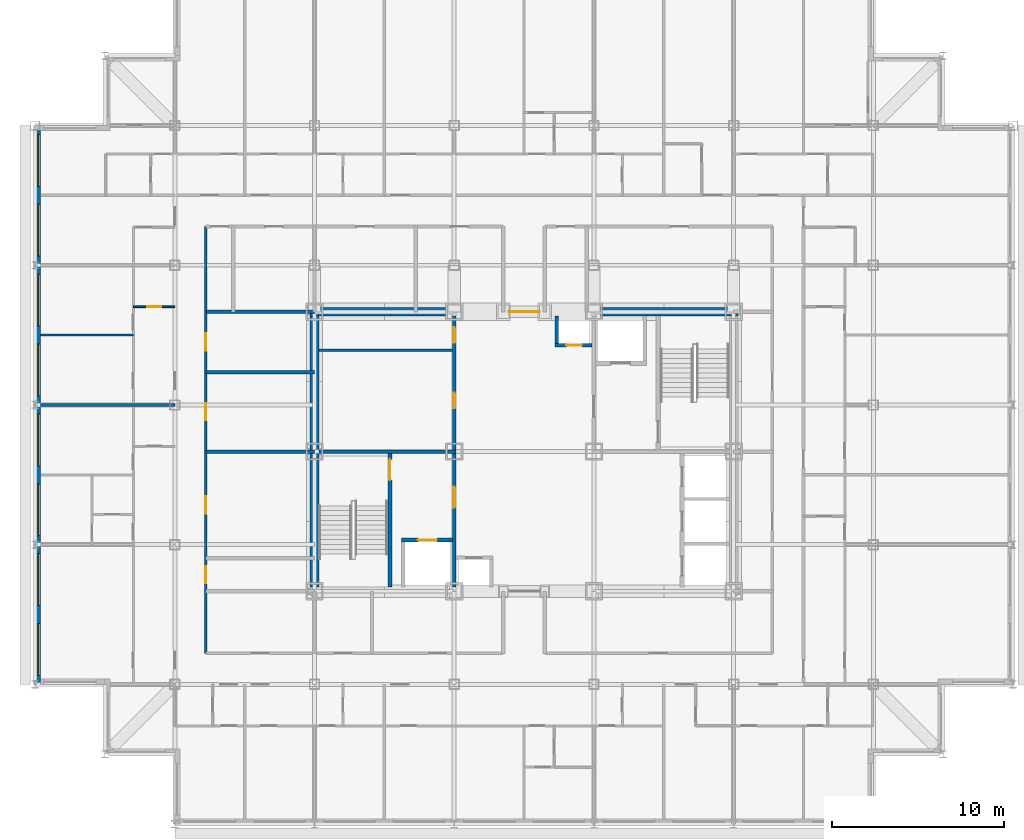
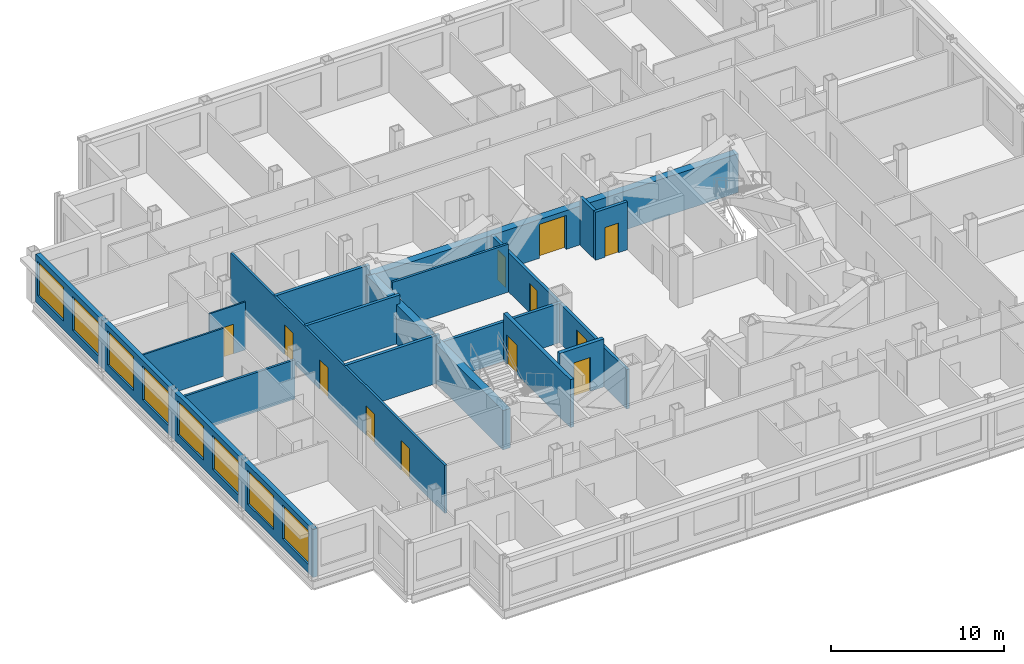
# One storey, part 6 of 12: 18 walls, 12 doors, 8 windows, 20 openings.
"""IFC4 building model written with IfcOpenShell, lengths in metres."""

from ifc_helpers import new_model, si_unit, direction, frame, frame_2d, origin, place, context, subcontext, project, spatial, rectangle, extrude, material, layer, layer_set, type_object, element, fill, save


model = new_model("IFC4")

# Units and contexts
model_context = context("Model", 3, precision=1e-05, world=origin(), true_north=direction((0.0, 1.0)))
body_context = subcontext(model_context, "Body", "Model", "MODEL_VIEW")
ifc_project = project(units=[si_unit("LENGTHUNIT", "METRE"), si_unit("AREAUNIT", "SQUARE_METRE"), si_unit("VOLUMEUNIT", "CUBIC_METRE"), si_unit("PLANEANGLEUNIT", "RADIAN"), si_unit("MASSUNIT", "GRAM", prefix="KILO")], contexts=[model_context])

# Site, building, storey
site_placement = place(None, origin())
site = spatial("IfcSite", under=ifc_project, at=site_placement, CompositionType="ELEMENT")
building_placement = place(site_placement, origin())
building = spatial("IfcBuilding", under=site, at=building_placement, Name="Kopane Lantern Tower", CompositionType="ELEMENT")
storey_placement = place(building_placement, frame((0.0, 0.0, 210.0)))
storey = spatial("IfcBuildingStorey", under=building, at=storey_placement, Name="L54", CompositionType="ELEMENT", Elevation=210.0)

# Wall
ifc_material_1 = material(Name="Gypsum board on steel studs", Category="steel")
ifc_layer_1 = layer(ifc_material_1, 0.1201171875)
ifc_layer_set_1 = layer_set([ifc_layer_1], Name="APARTMENT INTERNAL WALL 120")
wall_type_1 = type_object("IfcWallType", Name="APARTMENT INTERNAL WALL 120", PredefinedType="PARTITIONING", material=ifc_layer_set_1)
wall_1_placement = place(storey_placement, frame((5.699951171875, 39.14990234375, 0.0), z_axis=(0.0, 0.0, 1.0), x_axis=(-1.0, 0.0, 0.0)))
element("IfcWall", 1, at=wall_1_placement, inside=storey, type_object=wall_type_1, Name="Apartment Internal Wall 120 L54", PredefinedType="PARTITIONING", context=body_context, shape_type="SweptSolid", body=[
    extrude(rectangle(XDim=5.39990234375, YDim=0.1201171875, at=frame_2d((2.699951171875, 0.0))), origin(), (0.0, 0.0, 1.0), 3.389892578125),
])

# Wall, opening, door
ifc_material_2 = material(Name="Moisture-resistant board on steel studs", Category="steel")
ifc_layer_2 = layer(ifc_material_2, 0.10009765625)
ifc_layer_set_2 = layer_set([ifc_layer_2], Name="BATHROOM WALL 100")
wall_type_2 = type_object("IfcWallType", Name="BATHROOM WALL 100", PredefinedType="PARTITIONING", material=ifc_layer_set_2)
wall_2_placement = place(storey_placement, frame((8.10009765625, 40.800048828125, 0.0), z_axis=(0.0, 0.0, 1.0), x_axis=(-1.0, 0.0, 0.0)))
wall_2 = element("IfcWall", 2, at=wall_2_placement, inside=storey, type_object=wall_type_2, Name="Bathroom Wall 100 L54", PredefinedType="PARTITIONING", context=body_context, shape_type="SweptSolid", body=[
    extrude(rectangle(XDim=2.400146484375, YDim=0.10009765625, at=frame_2d((1.2001953125, 0.0))), origin(), (0.0, 0.0, 1.0), 3.389892578125),
])
opening_1_placement = place(wall_2_placement, frame((0.800048828125, 0.0, 0.0)))
opening_1 = element("IfcOpeningElement", 3, at=opening_1_placement, cuts=wall_2, Name="Opening L54-047", PredefinedType="OPENING", context=body_context, shape_type="SweptSolid", body=[
    extrude(rectangle(XDim=0.800048828125, YDim=2.10009765625, at=frame_2d((0.39990234375, 1.050048828125))), frame((0.0, 0.06005859375, 0.0), z_axis=(0.0, -1.0, 0.0), x_axis=(1.0, 0.0, 0.0)), (0.0, 0.0, 1.0), 0.1201171875),
])
ifc_material_3 = material(Name="Timber door set", Category="wood")
door_type_1 = type_object("IfcDoorType", Name="DOOR D2 800x2100", OperationType="SINGLE_SWING_LEFT", PredefinedType="DOOR", material=ifc_material_3)
door_1_placement = place(opening_1_placement, origin())
door_1 = element("IfcDoor", 4, at=door_1_placement, inside=storey, type_object=door_type_1, Name="Door L54-047", OperationType="SINGLE_SWING_RIGHT", OverallHeight=2.10009765625, OverallWidth=0.800048828125, PredefinedType="DOOR", context=body_context, shape_type="SweptSolid", body=[
    extrude(rectangle(XDim=0.800048828125, YDim=2.10009765625, at=frame_2d((0.39990234375, 1.050048828125))), frame((0.0, 0.02490234375, 0.0), z_axis=(0.0, -1.0, 0.0), x_axis=(1.0, 0.0, 0.0)), (0.0, 0.0, 1.0), 0.050048828125),
])
fill(opening_1, door_1)

ifc_material_4 = material(Name="Gypsum shaft wall EI 120", Category="gypsum")
ifc_layer_3 = layer(ifc_material_4, 0.5)
ifc_layer_set_3 = layer_set([ifc_layer_3], Name="CORE PERIMETER WALL 500 EI 120")
wall_type_3 = type_object("IfcWallType", Name="CORE PERIMETER WALL 500 EI 120", PredefinedType="SOLIDWALL", material=ifc_layer_set_3)
wall_3_placement = place(storey_placement, frame((15.949951171875, 40.5, 0.0), z_axis=(0.0, 0.0, 1.0), x_axis=(1.0, 0.0, 0.0)))
wall_3 = element("IfcWall", 5, at=wall_3_placement, inside=storey, type_object=wall_type_3, Name="Core shaft wall L54 PN", PredefinedType="SOLIDWALL", context=body_context, shape_type="SweptSolid", body=[
    extrude(rectangle(XDim=24.800048828125, YDim=0.5, at=frame_2d((12.39990234375, 0.0))), origin(), (0.0, 0.0, 1.0), 2.739990234375),
])
opening_2_placement = place(wall_3_placement, frame((11.5, 0.0, 0.0)))
opening_2 = element("IfcOpeningElement", 6, at=opening_2_placement, cuts=wall_3, Name="Opening 54.CE-N", PredefinedType="OPENING", context=body_context, shape_type="SweptSolid", body=[
    extrude(rectangle(XDim=1.800048828125, YDim=2.39990234375, at=frame_2d((0.89990234375, 1.199951171875))), frame((0.0, 0.260009765625, 0.0), z_axis=(0.0, -1.0, 0.0), x_axis=(1.0, 0.0, 0.0)), (0.0, 0.0, 1.0), 0.52001953125),
])
ifc_material_5 = material(Name="Steel door set", Category="steel")
door_type_2 = type_object("IfcDoorType", Name="CORE ENTRY DOOR 1800x2400 FD60S", OperationType="DOUBLE_DOOR_SINGLE_SWING", PredefinedType="DOOR", material=ifc_material_5)
door_2_placement = place(opening_2_placement, origin())
door_2 = element("IfcDoor", 7, at=door_2_placement, inside=storey, type_object=door_type_2, Name="Core entry door L54 north", OperationType="DOUBLE_DOOR_SINGLE_SWING", OverallHeight=2.39990234375, OverallWidth=1.800048828125, PredefinedType="DOOR", context=body_context, shape_type="SweptSolid", body=[
    extrude(rectangle(XDim=1.800048828125, YDim=2.39990234375, at=frame_2d((0.89990234375, 1.199951171875))), frame((0.0, 0.02490234375, 0.0), z_axis=(0.0, -1.0, 0.0), x_axis=(1.0, 0.0, 0.0)), (0.0, 0.0, 1.0), 0.050048828125),
])
fill(opening_2, door_2)

# Walls
wall_4_placement = place(storey_placement, frame((16.199951171875, 24.550048828125, 0.0), z_axis=(0.0, 0.0, 1.0), x_axis=(0.0, 1.0, 0.0)))
element("IfcWall", 8, at=wall_4_placement, inside=storey, type_object=wall_type_3, Name="Core shaft wall L54 PW", PredefinedType="SOLIDWALL", context=body_context, shape_type="SweptSolid", body=[
    extrude(rectangle(XDim=15.699951171875, YDim=0.5, at=frame_2d((7.85009765625, 0.0))), origin(), (0.0, 0.0, 1.0), 2.77783203125),
])
ifc_material_6 = material(Name="Gypsum partition EI 60", Category="gypsum")
ifc_layer_4 = layer(ifc_material_6, 0.14990234375)
ifc_layer_set_4 = layer_set([ifc_layer_4], Name="CORE ROOM PARTITION 150 EI 60")
wall_type_4 = type_object("IfcWallType", Name="CORE ROOM PARTITION 150 EI 60", PredefinedType="PARTITIONING", material=ifc_layer_set_4)
wall_5_placement = place(storey_placement, frame((16.449951171875, 38.27490234375, 0.0), z_axis=(0.0, 0.0, 1.0), x_axis=(1.0, 0.0, 0.0)))
element("IfcWall", 9, at=wall_5_placement, inside=storey, type_object=wall_type_4, Name="Core room partition L54 WW1", PredefinedType="PARTITIONING", context=body_context, shape_type="SweptSolid", body=[
    extrude(rectangle(XDim=7.75, YDim=0.14990234375, at=frame_2d((3.875, 0.0))), origin(), (0.0, 0.0, 1.0), 3.389892578125),
])

# Wall, openings, doors
ifc_material_7 = material(Name="Gypsum partition EI 60", Category="gypsum")
ifc_layer_5 = layer(ifc_material_7, 0.199951171875)
ifc_layer_set_5 = layer_set([ifc_layer_5], Name="CORE ROOM WALL 200 EI 60")
wall_type_5 = type_object("IfcWallType", Name="CORE ROOM WALL 200 EI 60", PredefinedType="PARTITIONING", material=ifc_layer_set_5)
wall_6_placement = place(storey_placement, frame((24.300048828125, 32.5, 0.0), z_axis=(0.0, 0.0, 1.0), x_axis=(0.0, 1.0, 0.0)))
wall_6 = element("IfcWall", 10, at=wall_6_placement, inside=storey, type_object=wall_type_5, Name="Core room wall L54 XW", PredefinedType="PARTITIONING", context=body_context, shape_type="SweptSolid", body=[
    extrude(rectangle(XDim=7.75, YDim=0.199951171875, at=frame_2d((3.875, 0.0))), origin(), (0.0, 0.0, 1.0), 2.77783203125),
])
opening_3_placement = place(wall_6_placement, frame((2.39990234375, 0.0, 0.0)))
opening_3 = element("IfcOpeningElement", 11, at=opening_3_placement, cuts=wall_6, Name="Opening 54.C30", PredefinedType="OPENING", context=body_context, shape_type="SweptSolid", body=[
    extrude(rectangle(XDim=0.89990234375, YDim=2.10009765625, at=frame_2d((0.449951171875, 1.050048828125))), frame((0.0, 0.10986328125, 0.0), z_axis=(0.0, -1.0, 0.0), x_axis=(1.0, 0.0, 0.0)), (0.0, 0.0, 1.0), 0.219970703125),
])
opening_4_placement = place(wall_6_placement, frame((6.199951171875, 0.0, 0.0)))
opening_4 = element("IfcOpeningElement", 12, at=opening_4_placement, cuts=wall_6, Name="Opening 54.C31", PredefinedType="OPENING", context=body_context, shape_type="SweptSolid", body=[
    extrude(rectangle(XDim=0.89990234375, YDim=2.10009765625, at=frame_2d((0.449951171875, 1.050048828125))), frame((0.0, 0.10986328125, 0.0), z_axis=(0.0, -1.0, 0.0), x_axis=(1.0, 0.0, 0.0)), (0.0, 0.0, 1.0), 0.219970703125),
])
ifc_material_8 = material(Name="Steel door set", Category="steel")
door_type_3 = type_object("IfcDoorType", Name="CORE ROOM DOOR 900x2100 FD60", OperationType="SINGLE_SWING_LEFT", PredefinedType="DOOR", material=ifc_material_8)
door_3_placement = place(opening_3_placement, origin())
door_3 = element("IfcDoor", 13, at=door_3_placement, inside=storey, type_object=door_type_3, Name="Door Residents storage L54", OperationType="SINGLE_SWING_LEFT", OverallHeight=2.10009765625, OverallWidth=0.89990234375, PredefinedType="DOOR", context=body_context, shape_type="SweptSolid", body=[
    extrude(rectangle(XDim=0.89990234375, YDim=2.10009765625, at=frame_2d((0.449951171875, 1.050048828125))), frame((0.0, 0.02490234375, 0.0), z_axis=(0.0, -1.0, 0.0), x_axis=(1.0, 0.0, 0.0)), (0.0, 0.0, 1.0), 0.050048828125),
])
fill(opening_3, door_3)
door_4_placement = place(opening_4_placement, origin())
door_4 = element("IfcDoor", 14, at=door_4_placement, inside=storey, type_object=door_type_3, Name="Door Refuse room L54", OperationType="SINGLE_SWING_LEFT", OverallHeight=2.10009765625, OverallWidth=0.89990234375, PredefinedType="DOOR", context=body_context, shape_type="SweptSolid", body=[
    extrude(rectangle(XDim=0.89990234375, YDim=2.10009765625, at=frame_2d((0.449951171875, 1.050048828125))), frame((0.0, 0.02490234375, 0.0), z_axis=(0.0, -1.0, 0.0), x_axis=(1.0, 0.0, 0.0)), (0.0, 0.0, 1.0), 0.050048828125),
])
fill(opening_4, door_4)

# Wall, opening, door
ifc_material_9 = material(Name="Gypsum shaft wall EI 120", Category="gypsum")
ifc_layer_6 = layer(ifc_material_9, 0.25)
ifc_layer_set_6 = layer_set([ifc_layer_6], Name="CORE SHAFT WALL 250 EI 120")
wall_type_6 = type_object("IfcWallType", Name="CORE SHAFT WALL 250 EI 120", PredefinedType="SOLIDWALL", material=ifc_layer_set_6)
wall_7_placement = place(storey_placement, frame((20.574951171875, 24.550048828125, 0.0), z_axis=(0.0, 0.0, 1.0), x_axis=(0.0, 1.0, 0.0)))
wall_7 = element("IfcWall", 15, at=wall_7_placement, inside=storey, type_object=wall_type_6, Name="Core shaft wall L54 XST1", PredefinedType="SOLIDWALL", context=body_context, shape_type="SweptSolid", body=[
    extrude(rectangle(XDim=7.75, YDim=0.25, at=frame_2d((3.875, 0.0))), origin(), (0.0, 0.0, 1.0), 3.389892578125),
])
opening_5_placement = place(wall_7_placement, frame((6.199951171875, 0.0, 0.0)))
opening_5 = element("IfcOpeningElement", 16, at=opening_5_placement, cuts=wall_7, Name="Opening 54.SD1", PredefinedType="OPENING", context=body_context, shape_type="SweptSolid", body=[
    extrude(rectangle(XDim=1.199951171875, YDim=2.10009765625, at=frame_2d((0.60009765625, 1.050048828125))), frame((0.0, 0.135009765625, 0.0), z_axis=(0.0, -1.0, 0.0), x_axis=(1.0, 0.0, 0.0)), (0.0, 0.0, 1.0), 0.27001953125),
])
ifc_material_10 = material(Name="Steel door set", Category="steel")
door_type_4 = type_object("IfcDoorType", Name="STAIR DOOR 1200x2100 FD60S", OperationType="SINGLE_SWING_LEFT", PredefinedType="DOOR", material=ifc_material_10)
door_5_placement = place(opening_5_placement, origin())
door_5 = element("IfcDoor", 17, at=door_5_placement, inside=storey, type_object=door_type_4, Name="Stair door ST1 L54", OperationType="SINGLE_SWING_LEFT", OverallHeight=2.10009765625, OverallWidth=1.199951171875, PredefinedType="DOOR", context=body_context, shape_type="SweptSolid", body=[
    extrude(rectangle(XDim=1.199951171875, YDim=2.10009765625, at=frame_2d((0.60009765625, 1.050048828125))), frame((0.0, 0.02490234375, 0.0), z_axis=(0.0, -1.0, 0.0), x_axis=(1.0, 0.0, 0.0)), (0.0, 0.0, 1.0), 0.050048828125),
])
fill(opening_5, door_5)

wall_8_placement = place(storey_placement, frame((21.25, 27.27490234375, 0.0), z_axis=(0.0, 0.0, 1.0), x_axis=(1.0, 0.0, 0.0)))
wall_8 = element("IfcWall", 18, at=wall_8_placement, inside=storey, type_object=wall_type_6, Name="Core shaft wall L54 YLF1", PredefinedType="SOLIDWALL", context=body_context, shape_type="SweptSolid", body=[
    extrude(rectangle(XDim=2.949951171875, YDim=0.25, at=frame_2d((1.47509765625, 0.0))), origin(), (0.0, 0.0, 1.0), 3.389892578125),
])
opening_6_placement = place(wall_8_placement, frame((0.949951171875, 0.0, 0.0)))
opening_6 = element("IfcOpeningElement", 19, at=opening_6_placement, cuts=wall_8, Name="Opening 54.LD-LF1", PredefinedType="OPENING", context=body_context, shape_type="SweptSolid", body=[
    extrude(rectangle(XDim=1.10009765625, YDim=2.39990234375, at=frame_2d((0.550048828125, 1.199951171875))), frame((0.0, 0.135009765625, 0.0), z_axis=(0.0, -1.0, 0.0), x_axis=(1.0, 0.0, 0.0)), (0.0, 0.0, 1.0), 0.27001953125),
])
ifc_material_11 = material(Name="Steel door set", Category="steel")
door_type_5 = type_object("IfcDoorType", Name="LIFT LANDING DOOR 1100x2400 FD60", OperationType="DOUBLE_DOOR_SLIDING", PredefinedType="DOOR", material=ifc_material_11)
door_6_placement = place(opening_6_placement, origin())
door_6 = element("IfcDoor", 20, at=door_6_placement, inside=storey, type_object=door_type_5, Name="Landing door LF1 L54", OperationType="DOUBLE_DOOR_SLIDING", OverallHeight=2.39990234375, OverallWidth=1.10009765625, PredefinedType="DOOR", context=body_context, shape_type="SweptSolid", body=[
    extrude(rectangle(XDim=1.10009765625, YDim=2.39990234375, at=frame_2d((0.550048828125, 1.199951171875))), frame((0.0, 0.02490234375, 0.0), z_axis=(0.0, -1.0, 0.0), x_axis=(1.0, 0.0, 0.0)), (0.0, 0.0, 1.0), 0.050048828125),
])
fill(opening_6, door_6)

# Wall, openings, doors
ifc_material_12 = material(Name="Gypsum board on steel studs", Category="steel")
ifc_layer_7 = layer(ifc_material_12, 0.14990234375)
ifc_layer_set_7 = layer_set([ifc_layer_7], Name="CORRIDOR WALL 150 EI 60")
wall_type_7 = type_object("IfcWallType", Name="CORRIDOR WALL 150 EI 60", PredefinedType="PARTITIONING", material=ifc_layer_set_7)
wall_9_placement = place(storey_placement, frame((9.89990234375, 45.449951171875, 0.0), z_axis=(0.0, 0.0, 1.0), x_axis=(0.0, -1.0, 0.0)))
wall_9 = element("IfcWall", 21, at=wall_9_placement, inside=storey, type_object=wall_type_7, Name="Corridor Wall 150 Ei 60 L54", PredefinedType="PARTITIONING", context=body_context, shape_type="SweptSolid", body=[
    extrude(rectangle(XDim=24.75, YDim=0.14990234375, at=frame_2d((12.375, 0.0))), origin(), (0.0, 0.0, 1.0), 3.389892578125),
])
opening_7_placement = place(wall_9_placement, frame((19.697509765625, 0.0, 0.0)))
opening_7 = element("IfcOpeningElement", 22, at=opening_7_placement, cuts=wall_9, Name="Opening L54-001", PredefinedType="OPENING", context=body_context, shape_type="SweptSolid", body=[
    extrude(rectangle(XDim=1.0, YDim=2.10009765625, at=frame_2d((0.5, 1.050048828125))), frame((0.0, 0.0849609375, 0.0), z_axis=(0.0, -1.0, 0.0), x_axis=(1.0, 0.0, 0.0)), (0.0, 0.0, 1.0), 0.169921875),
])
opening_8_placement = place(wall_9_placement, frame((15.647705078125, 0.0, 0.0)))
opening_8 = element("IfcOpeningElement", 23, at=opening_8_placement, cuts=wall_9, Name="Opening L54-002", PredefinedType="OPENING", context=body_context, shape_type="SweptSolid", body=[
    extrude(rectangle(XDim=1.0, YDim=2.10009765625, at=frame_2d((0.5, 1.050048828125))), frame((0.0, 0.0849609375, 0.0), z_axis=(0.0, -1.0, 0.0), x_axis=(1.0, 0.0, 0.0)), (0.0, 0.0, 1.0), 0.169921875),
])
opening_9_placement = place(wall_9_placement, frame((10.248291015625, 0.0, 0.0)))
opening_9 = element("IfcOpeningElement", 24, at=opening_9_placement, cuts=wall_9, Name="Opening L54-003", PredefinedType="OPENING", context=body_context, shape_type="SweptSolid", body=[
    extrude(rectangle(XDim=1.0, YDim=2.10009765625, at=frame_2d((0.5, 1.050048828125))), frame((0.0, 0.0849609375, 0.0), z_axis=(0.0, -1.0, 0.0), x_axis=(1.0, 0.0, 0.0)), (0.0, 0.0, 1.0), 0.169921875),
])
opening_10_placement = place(wall_9_placement, frame((6.198486328125, 0.0, 0.0)))
opening_10 = element("IfcOpeningElement", 25, at=opening_10_placement, cuts=wall_9, Name="Opening L54-004", PredefinedType="OPENING", context=body_context, shape_type="SweptSolid", body=[
    extrude(rectangle(XDim=1.0, YDim=2.10009765625, at=frame_2d((0.5, 1.050048828125))), frame((0.0, 0.0849609375, 0.0), z_axis=(0.0, -1.0, 0.0), x_axis=(1.0, 0.0, 0.0)), (0.0, 0.0, 1.0), 0.169921875),
])
ifc_material_13 = material(Name="Steel door set", Category="steel")
door_type_6 = type_object("IfcDoorType", Name="DOOR D5 1000x2100 FD60", OperationType="SINGLE_SWING_LEFT", PredefinedType="DOOR", material=ifc_material_13)
door_7_placement = place(opening_7_placement, origin())
door_7 = element("IfcDoor", 26, at=door_7_placement, inside=storey, type_object=door_type_6, Name="Door L54-001", OperationType="SINGLE_SWING_RIGHT", OverallHeight=2.10009765625, OverallWidth=1.0, PredefinedType="DOOR", context=body_context, shape_type="SweptSolid", body=[
    extrude(rectangle(XDim=1.0, YDim=2.10009765625, at=frame_2d((0.5, 1.050048828125))), frame((0.0, 0.02490234375, 0.0), z_axis=(0.0, -1.0, 0.0), x_axis=(1.0, 0.0, 0.0)), (0.0, 0.0, 1.0), 0.050048828125),
])
fill(opening_7, door_7)
door_8_placement = place(opening_8_placement, origin())
door_8 = element("IfcDoor", 27, at=door_8_placement, inside=storey, type_object=door_type_6, Name="Door L54-002", OperationType="SINGLE_SWING_LEFT", OverallHeight=2.10009765625, OverallWidth=1.0, PredefinedType="DOOR", context=body_context, shape_type="SweptSolid", body=[
    extrude(rectangle(XDim=1.0, YDim=2.10009765625, at=frame_2d((0.5, 1.050048828125))), frame((0.0, 0.02490234375, 0.0), z_axis=(0.0, -1.0, 0.0), x_axis=(1.0, 0.0, 0.0)), (0.0, 0.0, 1.0), 0.050048828125),
])
fill(opening_8, door_8)
door_9_placement = place(opening_9_placement, origin())
door_9 = element("IfcDoor", 28, at=door_9_placement, inside=storey, type_object=door_type_6, Name="Door L54-003", OperationType="SINGLE_SWING_RIGHT", OverallHeight=2.10009765625, OverallWidth=1.0, PredefinedType="DOOR", context=body_context, shape_type="SweptSolid", body=[
    extrude(rectangle(XDim=1.0, YDim=2.10009765625, at=frame_2d((0.5, 1.050048828125))), frame((0.0, 0.02490234375, 0.0), z_axis=(0.0, -1.0, 0.0), x_axis=(1.0, 0.0, 0.0)), (0.0, 0.0, 1.0), 0.050048828125),
])
fill(opening_9, door_9)
door_10_placement = place(opening_10_placement, origin())
door_10 = element("IfcDoor", 29, at=door_10_placement, inside=storey, type_object=door_type_6, Name="Door L54-004", OperationType="SINGLE_SWING_LEFT", OverallHeight=2.10009765625, OverallWidth=1.0, PredefinedType="DOOR", context=body_context, shape_type="SweptSolid", body=[
    extrude(rectangle(XDim=1.0, YDim=2.10009765625, at=frame_2d((0.5, 1.050048828125))), frame((0.0, 0.02490234375, 0.0), z_axis=(0.0, -1.0, 0.0), x_axis=(1.0, 0.0, 0.0)), (0.0, 0.0, 1.0), 0.050048828125),
])
fill(opening_10, door_10)

# Wall
ifc_material_14 = material(Name="Gypsum board on steel studs", Category="steel")
ifc_layer_8 = layer(ifc_material_14, 0.14990234375)
ifc_layer_set_8 = layer_set([ifc_layer_8], Name="DEMISING WALL 150 EI 60")
wall_type_8 = type_object("IfcWallType", Name="DEMISING WALL 150 EI 60", PredefinedType="PARTITIONING", material=ifc_layer_set_8)
wall_10_placement = place(storey_placement, frame((8.10009765625, 35.10009765625, 0.0), z_axis=(0.0, 0.0, 1.0), x_axis=(-1.0, 0.0, 0.0)))
element("IfcWall", 30, at=wall_10_placement, inside=storey, type_object=wall_type_8, Name="Demising Wall 150 Ei 60 L54", PredefinedType="PARTITIONING", context=body_context, shape_type="SweptSolid", body=[
    extrude(rectangle(XDim=7.800048828125, YDim=0.14990234375, at=frame_2d((3.89990234375, 0.0))), origin(), (0.0, 0.0, 1.0), 2.77783203125),
])

# Wall, openings, windows
ifc_material_15 = material(Name="Terracotta rainscreen on light steel framing", Category="masonry")
ifc_layer_9 = layer(ifc_material_15, 0.300048828125)
ifc_layer_set_9 = layer_set([ifc_layer_9], Name="EXTERNAL WALL EW1 300 TERRACOTTA")
wall_type_9 = type_object("IfcWallType", Name="EXTERNAL WALL EW1 300 TERRACOTTA", PredefinedType="SOLIDWALL", material=ifc_layer_set_9)
wall_11_placement = place(storey_placement, frame((0.14990234375, 51.0, 0.0), z_axis=(0.0, 0.0, 1.0), x_axis=(0.0, -1.0, 0.0)))
wall_11 = element("IfcWall", 31, at=wall_11_placement, inside=storey, type_object=wall_type_9, Name="External wall W L54", PredefinedType="SOLIDWALL", context=body_context, shape_type="SweptSolid", body=[
    extrude(rectangle(XDim=32.10009765625, YDim=0.300048828125, at=frame_2d((16.050048828125, 0.0))), origin(), (0.0, 0.0, 1.0), 3.389892578125),
])
opening_11_placement = place(wall_11_placement, frame((0.22509765625, 0.0, 0.60009765625)))
opening_11 = element("IfcOpeningElement", 32, at=opening_11_placement, cuts=wall_11, Name="Opening WR300240", PredefinedType="OPENING", context=body_context, shape_type="SweptSolid", body=[
    extrude(rectangle(XDim=3.0, YDim=2.39990234375, at=frame_2d((1.5, 1.199951171875))), frame((0.0, 0.159912109375, 0.0), z_axis=(0.0, -1.0, 0.0), x_axis=(1.0, 0.0, 0.0)), (0.0, 0.0, 1.0), 0.320068359375),
])
opening_12_placement = place(wall_11_placement, frame((4.27490234375, 0.0, 0.60009765625)))
opening_12 = element("IfcOpeningElement", 33, at=opening_12_placement, cuts=wall_11, Name="Opening WR300240", PredefinedType="OPENING", context=body_context, shape_type="SweptSolid", body=[
    extrude(rectangle(XDim=3.0, YDim=2.39990234375, at=frame_2d((1.5, 1.199951171875))), frame((0.0, 0.159912109375, 0.0), z_axis=(0.0, -1.0, 0.0), x_axis=(1.0, 0.0, 0.0)), (0.0, 0.0, 1.0), 0.320068359375),
])
opening_13_placement = place(wall_11_placement, frame((8.324951171875, 0.0, 0.60009765625)))
opening_13 = element("IfcOpeningElement", 34, at=opening_13_placement, cuts=wall_11, Name="Opening WR300240", PredefinedType="OPENING", context=body_context, shape_type="SweptSolid", body=[
    extrude(rectangle(XDim=3.0, YDim=2.39990234375, at=frame_2d((1.5, 1.199951171875))), frame((0.0, 0.159912109375, 0.0), z_axis=(0.0, -1.0, 0.0), x_axis=(1.0, 0.0, 0.0)), (0.0, 0.0, 1.0), 0.320068359375),
])
opening_14_placement = place(wall_11_placement, frame((12.375, 0.0, 0.60009765625)))
opening_14 = element("IfcOpeningElement", 35, at=opening_14_placement, cuts=wall_11, Name="Opening WR300240", PredefinedType="OPENING", context=body_context, shape_type="SweptSolid", body=[
    extrude(rectangle(XDim=3.0, YDim=2.39990234375, at=frame_2d((1.5, 1.199951171875))), frame((0.0, 0.159912109375, 0.0), z_axis=(0.0, -1.0, 0.0), x_axis=(1.0, 0.0, 0.0)), (0.0, 0.0, 1.0), 0.320068359375),
])
opening_15_placement = place(wall_11_placement, frame((16.425048828125, 0.0, 0.60009765625)))
opening_15 = element("IfcOpeningElement", 36, at=opening_15_placement, cuts=wall_11, Name="Opening WR300240", PredefinedType="OPENING", context=body_context, shape_type="SweptSolid", body=[
    extrude(rectangle(XDim=3.0, YDim=2.39990234375, at=frame_2d((1.5, 1.199951171875))), frame((0.0, 0.159912109375, 0.0), z_axis=(0.0, -1.0, 0.0), x_axis=(1.0, 0.0, 0.0)), (0.0, 0.0, 1.0), 0.320068359375),
])
opening_16_placement = place(wall_11_placement, frame((20.47509765625, 0.0, 0.60009765625)))
opening_16 = element("IfcOpeningElement", 37, at=opening_16_placement, cuts=wall_11, Name="Opening WR300240", PredefinedType="OPENING", context=body_context, shape_type="SweptSolid", body=[
    extrude(rectangle(XDim=3.0, YDim=2.39990234375, at=frame_2d((1.5, 1.199951171875))), frame((0.0, 0.159912109375, 0.0), z_axis=(0.0, -1.0, 0.0), x_axis=(1.0, 0.0, 0.0)), (0.0, 0.0, 1.0), 0.320068359375),
])
opening_17_placement = place(wall_11_placement, frame((24.52490234375, 0.0, 0.60009765625)))
opening_17 = element("IfcOpeningElement", 38, at=opening_17_placement, cuts=wall_11, Name="Opening WR300240", PredefinedType="OPENING", context=body_context, shape_type="SweptSolid", body=[
    extrude(rectangle(XDim=3.0, YDim=2.39990234375, at=frame_2d((1.5, 1.199951171875))), frame((0.0, 0.159912109375, 0.0), z_axis=(0.0, -1.0, 0.0), x_axis=(1.0, 0.0, 0.0)), (0.0, 0.0, 1.0), 0.320068359375),
])
opening_18_placement = place(wall_11_placement, frame((28.574951171875, 0.0, 0.60009765625)))
opening_18 = element("IfcOpeningElement", 39, at=opening_18_placement, cuts=wall_11, Name="Opening WR300240", PredefinedType="OPENING", context=body_context, shape_type="SweptSolid", body=[
    extrude(rectangle(XDim=3.0, YDim=2.39990234375, at=frame_2d((1.5, 1.199951171875))), frame((0.0, 0.159912109375, 0.0), z_axis=(0.0, -1.0, 0.0), x_axis=(1.0, 0.0, 0.0)), (0.0, 0.0, 1.0), 0.320068359375),
])
ifc_material_16 = material(Name="Aluminium and clear glass", Category="aluminium")
window_type = type_object("IfcWindowType", Name="RIBBON WINDOW WR300240 3000x2400", PartitioningType="SINGLE_PANEL", PredefinedType="WINDOW", material=ifc_material_16)
window_1_placement = place(opening_11_placement, origin())
window_1 = element("IfcWindow", 40, at=window_1_placement, inside=storey, type_object=window_type, Name="Window W L54", OverallHeight=2.39990234375, OverallWidth=3.0, PartitioningType="SINGLE_PANEL", PredefinedType="WINDOW", context=body_context, shape_type="SweptSolid", body=[
    extrude(rectangle(XDim=3.0, YDim=2.39990234375, at=frame_2d((1.5, 1.199951171875))), frame((0.0, 0.030029296875, 0.0), z_axis=(0.0, -1.0, 0.0), x_axis=(1.0, 0.0, 0.0)), (0.0, 0.0, 1.0), 0.06005859375),
])
fill(opening_11, window_1)
window_2_placement = place(opening_12_placement, origin())
window_2 = element("IfcWindow", 41, at=window_2_placement, inside=storey, type_object=window_type, Name="Window W L54", OverallHeight=2.39990234375, OverallWidth=3.0, PartitioningType="SINGLE_PANEL", PredefinedType="WINDOW", context=body_context, shape_type="SweptSolid", body=[
    extrude(rectangle(XDim=3.0, YDim=2.39990234375, at=frame_2d((1.5, 1.199951171875))), frame((0.0, 0.030029296875, 0.0), z_axis=(0.0, -1.0, 0.0), x_axis=(1.0, 0.0, 0.0)), (0.0, 0.0, 1.0), 0.06005859375),
])
fill(opening_12, window_2)
window_3_placement = place(opening_13_placement, origin())
window_3 = element("IfcWindow", 42, at=window_3_placement, inside=storey, type_object=window_type, Name="Window W L54", OverallHeight=2.39990234375, OverallWidth=3.0, PartitioningType="SINGLE_PANEL", PredefinedType="WINDOW", context=body_context, shape_type="SweptSolid", body=[
    extrude(rectangle(XDim=3.0, YDim=2.39990234375, at=frame_2d((1.5, 1.199951171875))), frame((0.0, 0.030029296875, 0.0), z_axis=(0.0, -1.0, 0.0), x_axis=(1.0, 0.0, 0.0)), (0.0, 0.0, 1.0), 0.06005859375),
])
fill(opening_13, window_3)
window_4_placement = place(opening_14_placement, origin())
window_4 = element("IfcWindow", 43, at=window_4_placement, inside=storey, type_object=window_type, Name="Window W L54", OverallHeight=2.39990234375, OverallWidth=3.0, PartitioningType="SINGLE_PANEL", PredefinedType="WINDOW", context=body_context, shape_type="SweptSolid", body=[
    extrude(rectangle(XDim=3.0, YDim=2.39990234375, at=frame_2d((1.5, 1.199951171875))), frame((0.0, 0.030029296875, 0.0), z_axis=(0.0, -1.0, 0.0), x_axis=(1.0, 0.0, 0.0)), (0.0, 0.0, 1.0), 0.06005859375),
])
fill(opening_14, window_4)
window_5_placement = place(opening_15_placement, origin())
window_5 = element("IfcWindow", 44, at=window_5_placement, inside=storey, type_object=window_type, Name="Window W L54", OverallHeight=2.39990234375, OverallWidth=3.0, PartitioningType="SINGLE_PANEL", PredefinedType="WINDOW", context=body_context, shape_type="SweptSolid", body=[
    extrude(rectangle(XDim=3.0, YDim=2.39990234375, at=frame_2d((1.5, 1.199951171875))), frame((0.0, 0.030029296875, 0.0), z_axis=(0.0, -1.0, 0.0), x_axis=(1.0, 0.0, 0.0)), (0.0, 0.0, 1.0), 0.06005859375),
])
fill(opening_15, window_5)
window_6_placement = place(opening_16_placement, origin())
window_6 = element("IfcWindow", 45, at=window_6_placement, inside=storey, type_object=window_type, Name="Window W L54", OverallHeight=2.39990234375, OverallWidth=3.0, PartitioningType="SINGLE_PANEL", PredefinedType="WINDOW", context=body_context, shape_type="SweptSolid", body=[
    extrude(rectangle(XDim=3.0, YDim=2.39990234375, at=frame_2d((1.5, 1.199951171875))), frame((0.0, 0.030029296875, 0.0), z_axis=(0.0, -1.0, 0.0), x_axis=(1.0, 0.0, 0.0)), (0.0, 0.0, 1.0), 0.06005859375),
])
fill(opening_16, window_6)
window_7_placement = place(opening_17_placement, origin())
window_7 = element("IfcWindow", 46, at=window_7_placement, inside=storey, type_object=window_type, Name="Window W L54", OverallHeight=2.39990234375, OverallWidth=3.0, PartitioningType="SINGLE_PANEL", PredefinedType="WINDOW", context=body_context, shape_type="SweptSolid", body=[
    extrude(rectangle(XDim=3.0, YDim=2.39990234375, at=frame_2d((1.5, 1.199951171875))), frame((0.0, 0.030029296875, 0.0), z_axis=(0.0, -1.0, 0.0), x_axis=(1.0, 0.0, 0.0)), (0.0, 0.0, 1.0), 0.06005859375),
])
fill(opening_17, window_7)
window_8_placement = place(opening_18_placement, origin())
window_8 = element("IfcWindow", 47, at=window_8_placement, inside=storey, type_object=window_type, Name="Window W L54", OverallHeight=2.39990234375, OverallWidth=3.0, PartitioningType="SINGLE_PANEL", PredefinedType="WINDOW", context=body_context, shape_type="SweptSolid", body=[
    extrude(rectangle(XDim=3.0, YDim=2.39990234375, at=frame_2d((1.5, 1.199951171875))), frame((0.0, 0.030029296875, 0.0), z_axis=(0.0, -1.0, 0.0), x_axis=(1.0, 0.0, 0.0)), (0.0, 0.0, 1.0), 0.06005859375),
])
fill(opening_18, window_8)

# Walls
ifc_material_17 = material(Name="Concrete masonry", Category="masonry")
ifc_layer_10 = layer(ifc_material_17, 0.199951171875)
ifc_layer_set_10 = layer_set([ifc_layer_10], Name="PLANT ROOM WALL 200 EI 120")
wall_type_10 = type_object("IfcWallType", Name="PLANT ROOM WALL 200 EI 120", PredefinedType="SOLIDWALL", material=ifc_layer_set_10)
for number, where, z_axis, x_axis, name in (
    (48, (9.89990234375, 32.39990234375, 0.0), (0.0, 0.0, 1.0), (1.0, 0.0, 0.0), "Plant Room Wall 200 Ei 120 L54"),
    (49, (9.89990234375, 37.003173828125, 0.0), (0.0, 0.0, 1.0), (1.0, 0.0, 0.0), "Plant Room Wall 200 Ei 120 L54"),
    (50, (9.89990234375, 40.5, 0.0), (0.0, 0.0, 1.0), (1.0, 0.0, 0.0), "Plant Room Wall 200 Ei 120 L54"),
):
    element("IfcWall", number, at=place(storey_placement, frame(where, z_axis=z_axis, x_axis=x_axis)), inside=storey, type_object=wall_type_10, Name=name, PredefinedType="SOLIDWALL", context=body_context, shape_type="SweptSolid", body=[
        extrude(rectangle(XDim=6.300048828125, YDim=0.199951171875, at=frame_2d((3.14990234375, 0.0))), origin(), (0.0, 0.0, 1.0), 3.389892578125),
    ])
ifc_material_18 = material(Name="Gypsum shaft wall EI 120", Category="gypsum")
ifc_layer_11 = layer(ifc_material_18, 0.199951171875)
ifc_layer_set_11 = layer_set([ifc_layer_11], Name="SHAFT WALL 200 EI 120")
wall_type_11 = type_object("IfcWallType", Name="SHAFT WALL 200 EI 120", PredefinedType="SOLIDWALL", material=ifc_layer_set_11)
wall_12_placement = place(storey_placement, frame((16.449951171875, 32.39990234375, 0.0), z_axis=(0.0, 0.0, 1.0), x_axis=(1.0, 0.0, 0.0)))
element("IfcWall", 51, at=wall_12_placement, inside=storey, type_object=wall_type_11, Name="Core shaft wall L54 Y324W", PredefinedType="SOLIDWALL", context=body_context, shape_type="SweptSolid", body=[
    extrude(rectangle(XDim=7.949951171875, YDim=0.199951171875, at=frame_2d((3.97509765625, 0.0))), origin(), (0.0, 0.0, 1.0), 2.77783203125),
])

# Wall, opening, door
wall_13_placement = place(storey_placement, frame((24.300048828125, 24.550048828125, 0.0), z_axis=(0.0, 0.0, 1.0), x_axis=(0.0, 1.0, 0.0)))
wall_13 = element("IfcWall", 52, at=wall_13_placement, inside=storey, type_object=wall_type_11, Name="Core shaft wall L54 X243", PredefinedType="SOLIDWALL", context=body_context, shape_type="SweptSolid", body=[
    extrude(rectangle(XDim=7.75, YDim=0.199951171875, at=frame_2d((3.875, 0.0))), origin(), (0.0, 0.0, 1.0), 2.77783203125),
])
opening_19_placement = place(wall_13_placement, frame((4.60009765625, 0.0, 0.0)))
opening_19 = element("IfcOpeningElement", 53, at=opening_19_placement, cuts=wall_13, Name="Opening 54.FL1", PredefinedType="OPENING", context=body_context, shape_type="SweptSolid", body=[
    extrude(rectangle(XDim=1.199951171875, YDim=2.10009765625, at=frame_2d((0.60009765625, 1.050048828125))), frame((0.0, 0.10986328125, 0.0), z_axis=(0.0, -1.0, 0.0), x_axis=(1.0, 0.0, 0.0)), (0.0, 0.0, 1.0), 0.219970703125),
])
ifc_material_19 = material(Name="Steel door set", Category="steel")
door_type_7 = type_object("IfcDoorType", Name="FIREFIGHTING LOBBY DOOR 1200x2100 FD60S", OperationType="SINGLE_SWING_RIGHT", PredefinedType="DOOR", material=ifc_material_19)
door_11_placement = place(opening_19_placement, origin())
door_11 = element("IfcDoor", 54, at=door_11_placement, inside=storey, type_object=door_type_7, Name="Firefighting lobby door FL1 L54", OperationType="SINGLE_SWING_LEFT", OverallHeight=2.10009765625, OverallWidth=1.199951171875, PredefinedType="DOOR", context=body_context, shape_type="SweptSolid", body=[
    extrude(rectangle(XDim=1.199951171875, YDim=2.10009765625, at=frame_2d((0.60009765625, 1.050048828125))), frame((0.0, 0.02490234375, 0.0), z_axis=(0.0, -1.0, 0.0), x_axis=(1.0, 0.0, 0.0)), (0.0, 0.0, 1.0), 0.050048828125),
])
fill(opening_19, door_11)

# Wall
wall_14_placement = place(storey_placement, frame((30.25, 38.64990234375, 0.0), z_axis=(0.0, 0.0, 1.0), x_axis=(0.0, 1.0, 0.0)))
element("IfcWall", 55, at=wall_14_placement, inside=storey, type_object=wall_type_11, Name="Core shaft wall L54 XRS2", PredefinedType="SOLIDWALL", context=body_context, shape_type="SweptSolid", body=[
    extrude(rectangle(XDim=1.60009765625, YDim=0.199951171875, at=frame_2d((0.800048828125, 0.0))), origin(), (0.0, 0.0, 1.0), 3.389892578125),
])

# Wall, opening, door
wall_15_placement = place(storey_placement, frame((30.14990234375, 38.550048828125, 0.0), z_axis=(0.0, 0.0, 1.0), x_axis=(1.0, 0.0, 0.0)))
wall_15 = element("IfcWall", 56, at=wall_15_placement, inside=storey, type_object=wall_type_11, Name="Core shaft wall L54 YRS2", PredefinedType="SOLIDWALL", context=body_context, shape_type="SweptSolid", body=[
    extrude(rectangle(XDim=2.150146484375, YDim=0.199951171875, at=frame_2d((1.0751953125, 0.0))), origin(), (0.0, 0.0, 1.0), 3.389892578125),
])
opening_20_placement = place(wall_15_placement, frame((0.64990234375, 0.0, 0.0)))
opening_20 = element("IfcOpeningElement", 57, at=opening_20_placement, cuts=wall_15, Name="Opening 54.RS2", PredefinedType="OPENING", context=body_context, shape_type="SweptSolid", body=[
    extrude(rectangle(XDim=0.89990234375, YDim=2.10009765625, at=frame_2d((0.449951171875, 1.050048828125))), frame((0.0, 0.10986328125, 0.0), z_axis=(0.0, -1.0, 0.0), x_axis=(1.0, 0.0, 0.0)), (0.0, 0.0, 1.0), 0.219970703125),
])
ifc_material_20 = material(Name="Steel door set", Category="steel")
door_type_8 = type_object("IfcDoorType", Name="RISER ACCESS DOOR 900x2100 FD60", OperationType="SINGLE_SWING_LEFT", PredefinedType="DOOR", material=ifc_material_20)
door_12_placement = place(opening_20_placement, origin())
door_12 = element("IfcDoor", 58, at=door_12_placement, inside=storey, type_object=door_type_8, Name="Riser access door RS2 L54", OperationType="SINGLE_SWING_LEFT", OverallHeight=2.10009765625, OverallWidth=0.89990234375, PredefinedType="DOOR", context=body_context, shape_type="SweptSolid", body=[
    extrude(rectangle(XDim=0.89990234375, YDim=2.10009765625, at=frame_2d((0.449951171875, 1.050048828125))), frame((0.0, 0.02490234375, 0.0), z_axis=(0.0, -1.0, 0.0), x_axis=(1.0, 0.0, 0.0)), (0.0, 0.0, 1.0), 0.050048828125),
])
fill(opening_20, door_12)

save(model, "model.ifc")
